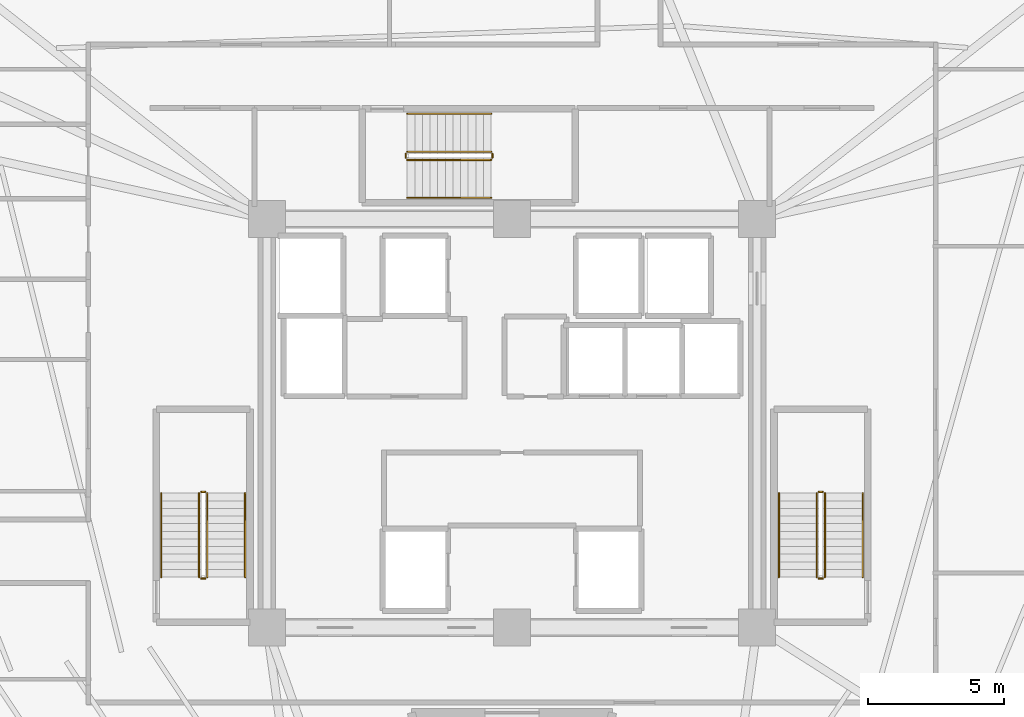
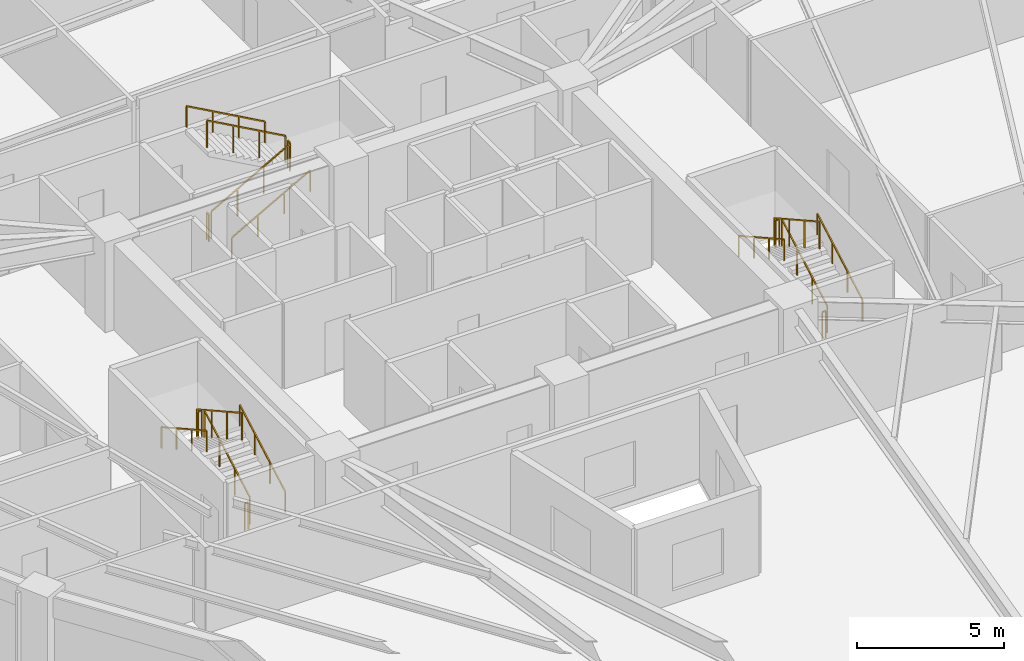
# One storey, part 8 of 8: 18 railings.
"""IFC4 building model written with IfcOpenShell, lengths in metres."""

import ifcopenshell
import ifcopenshell.guid

model = None  # the IFC model being written
_history = None  # IfcOwnerHistory: only IFC2X3 demands one
_inside = {}  # id of a spatial element -> (the spatial element, [elements in it])
_under = {}  # id of a project, library or spatial element -> (it, [spatial elements below it])
_declared = {}  # id of a project -> (the project, [libraries it declares])
_typed = {}  # id of a type object -> (the type object, [elements of that type])
_made_of = {}  # id of a material, layer set ... -> (it, [elements and type objects made of it])


def new_model(schema):
    """Start an empty IFC model of exactly this schema.

    Asked for "IFC4X3", IfcOpenShell would pick the latest addendum, in which some entities
    have other attributes; the version numbers below select the first issue.
    IFC2X3 requires an IfcOwnerHistory on every rooted entity: one is made here for all.
    """
    global model, _history
    if schema == "IFC4X3":
        model = ifcopenshell.file(schema_version=(4, 3, 0, 0))
    else:
        model = ifcopenshell.file(schema=schema)
    _inside.clear()
    _under.clear()
    _declared.clear()
    _typed.clear()
    _made_of.clear()
    _history = None
    if model.schema == "IFC2X3":
        org = make("IfcOrganization", Name="unknown")
        user = make(
            "IfcPersonAndOrganization",
            ThePerson=make("IfcPerson", FamilyName="unknown"),
            TheOrganization=org,
        )
        app = make(
            "IfcApplication",
            ApplicationDeveloper=org,
            Version="unknown",
            ApplicationFullName="unknown",
            ApplicationIdentifier="unknown",
        )
        _history = make(
            "IfcOwnerHistory",
            OwningUser=user,
            OwningApplication=app,
            ChangeAction="ADDED",
            CreationDate=0,
        )
    return model


def make(cls, **values):
    """One entity of the class cls with the attributes given. An attribute that is None is left unset."""
    return model.create_entity(
        cls, **{name: value for name, value in values.items() if value is not None}
    )


def rooted(cls, **values):
    """An entity with a GlobalId (a new one), such as an element, a storey or a relation."""
    return make(cls, GlobalId=ifcopenshell.guid.new(), OwnerHistory=_history, **values)


def si_unit(unit_type, name, prefix=None):
    """IfcSIUnit, for example si_unit("LENGTHUNIT", "METRE", prefix="MILLI")."""
    return make("IfcSIUnit", UnitType=unit_type, Prefix=prefix, Name=name)


def assignment(units):
    """IfcUnitAssignment: the units of a project."""
    return None if units is None else make("IfcUnitAssignment", Units=units)


def point(xyz):
    """IfcCartesianPoint."""
    return None if xyz is None else make("IfcCartesianPoint", Coordinates=xyz)


def direction(xyz):
    """IfcDirection."""
    return None if xyz is None else make("IfcDirection", DirectionRatios=xyz)


def frame(location, z_axis=None, x_axis=None):
    """IfcAxis2Placement3D, a coordinate frame: its origin and axes. An axis left out is left unset."""
    return make(
        "IfcAxis2Placement3D",
        Location=point(location),
        Axis=direction(z_axis),
        RefDirection=direction(x_axis),
    )


def frame_2d(location, x_axis=None):
    """IfcAxis2Placement2D, a coordinate frame in the plane: its origin and x axis."""
    return make(
        "IfcAxis2Placement2D", Location=point(location), RefDirection=direction(x_axis)
    )


def origin():
    """The frame at (0, 0, 0) with its axes left unset."""
    return frame((0.0, 0.0, 0.0))


def origin_2d():
    """The frame at (0, 0) in the plane with its x axis left unset."""
    return frame_2d((0.0, 0.0))


def place(relative_to, where):
    """IfcLocalPlacement: puts the frame where relative to a parent placement (None: the world)."""
    return make(
        "IfcLocalPlacement", PlacementRelTo=relative_to, RelativePlacement=where
    )


def context(
    kind, dimensions, precision=None, world=None, true_north=None, identifier=None
):
    """IfcGeometricRepresentationContext, for example the 3D "Model" context."""
    return make(
        "IfcGeometricRepresentationContext",
        ContextIdentifier=identifier,
        ContextType=kind,
        CoordinateSpaceDimension=dimensions,
        Precision=precision,
        WorldCoordinateSystem=world,
        TrueNorth=true_north,
    )


def subcontext(parent, identifier, kind, view, scale=None):
    """IfcGeometricRepresentationSubContext, for example "Body" below "Model"."""
    return make(
        "IfcGeometricRepresentationSubContext",
        ContextIdentifier=identifier,
        ContextType=kind,
        ParentContext=parent,
        TargetScale=scale,
        TargetView=view,
    )


def project(units=None, contexts=None):
    """IfcProject with its units and contexts."""
    return rooted(
        "IfcProject",
        Name="project",
        RepresentationContexts=contexts,
        UnitsInContext=assignment(units),
    )


def spatial(cls, under=None, at=None, **own):
    """A site, building, storey or space (cls), placed at a placement, below another one or the project."""
    s = rooted(cls, ObjectPlacement=at, **own)
    if under is not None:
        _under.setdefault(under.id(), (under, []))[1].append(s)
    return s


def profile(cls, at=None, kind="AREA", **sizes):
    """A parametric profile (cls). Its sizes go by their IFC names, for example OverallWidth=200.0."""
    return make(cls, ProfileType=kind, Position=at, **sizes)


def rectangle(**sizes):
    """IfcRectangleProfileDef."""
    return profile("IfcRectangleProfileDef", **sizes)


def extrude(swept, where, along, depth):
    """IfcExtrudedAreaSolid: the profile swept, set in the frame where, extruded along a direction by depth."""
    return make(
        "IfcExtrudedAreaSolid",
        SweptArea=swept,
        Position=where,
        ExtrudedDirection=direction(along),
        Depth=depth,
    )


def shape(context_of_items, identifier, shape_type, items):
    """IfcShapeRepresentation: the items that make up one representation, for example the "Body"."""
    return make(
        "IfcShapeRepresentation",
        ContextOfItems=context_of_items,
        RepresentationIdentifier=identifier,
        RepresentationType=shape_type,
        Items=items,
    )


def material(Name=None, Category=None):
    """IfcMaterial."""
    return make("IfcMaterial", Name=Name, Category=Category)


def made_of(thing, what):
    """Note that an element or type object is made of a material, layer set ...; save() writes the relation."""
    if what is not None:
        _made_of.setdefault(what.id(), (what, []))[1].append(thing)
    return thing


def type_object(cls, material=None, **own):
    """A type object (cls), such as IfcWallType, which elements share."""
    return made_of(rooted(cls, **own), material)


def element(
    cls,
    number,
    at=None,
    inside=None,
    cuts=None,
    type_object=None,
    material=None,
    context=None,
    identifier="Body",
    shape_type=None,
    held_by="IfcProductDefinitionShape",
    body=None,
    shapes=None,
    **own,
):
    """One element of the class cls, such as IfcWall. Its Tag is "e" and its number.

    at: its placement. inside: the storey or other place that contains it. cuts: it is an
    opening in that element (IfcRelVoidsElement). A single representation is given by context,
    identifier, shape_type and body (its items); several are given by shapes. held_by: the class
    of the entity that holds the representations. save() writes the other relations.
    """
    e = rooted(cls, Tag="e%d" % number, ObjectPlacement=at, **own)
    if body is not None:
        shapes = [shape(context, identifier, shape_type, body)]
    if shapes is not None:
        e.Representation = make(held_by, Representations=shapes)
    if inside is not None:
        _inside.setdefault(inside.id(), (inside, []))[1].append(e)
    if cuts is not None:
        rooted(
            "IfcRelVoidsElement", RelatingBuildingElement=cuts, RelatedOpeningElement=e
        )
    if type_object is not None:
        _typed.setdefault(type_object.id(), (type_object, []))[1].append(e)
    return made_of(e, material)


def aggregate(whole, parts):
    """IfcRelAggregates: a whole, such as a stair, and the parts it consists of."""
    return rooted("IfcRelAggregates", RelatingObject=whole, RelatedObjects=parts)


def save(model, path):
    """Write the relations noted so far, then the file.

    IfcRelAggregates (storeys below a building ...), IfcRelContainedInSpatialStructure (elements
    in a storey), IfcRelDefinesByType, IfcRelAssociatesMaterial and IfcRelDeclares: one each for
    every whole, place, type object, material and project.
    """
    for whole, parts in _under.values():
        aggregate(whole, parts)
    for where, things in _inside.values():
        rooted(
            "IfcRelContainedInSpatialStructure",
            RelatedElements=things,
            RelatingStructure=where,
        )
    for kind, things in _typed.values():
        rooted("IfcRelDefinesByType", RelatedObjects=things, RelatingType=kind)
    for what, things in _made_of.values():
        rooted("IfcRelAssociatesMaterial", RelatedObjects=things, RelatingMaterial=what)
    for by, libraries in _declared.values():
        rooted("IfcRelDeclares", RelatingContext=by, RelatedDefinitions=libraries)
    model.write(path)


model = new_model("IFC4")

# Units and contexts
model_context = context("Model", 3, precision=1e-05, world=origin(), true_north=direction((0.0, 1.0)))
body_context = subcontext(model_context, "Body", "Model", "MODEL_VIEW")
ifc_project = project(units=[si_unit("LENGTHUNIT", "METRE"), si_unit("AREAUNIT", "SQUARE_METRE"), si_unit("VOLUMEUNIT", "CUBIC_METRE"), si_unit("PLANEANGLEUNIT", "RADIAN"), si_unit("MASSUNIT", "GRAM", prefix="KILO")], contexts=[model_context])

# Site, building, storey
site_placement = place(None, origin())
site = spatial("IfcSite", under=ifc_project, at=site_placement, CompositionType="ELEMENT")
building_placement = place(site_placement, origin())
building = spatial("IfcBuilding", under=site, at=building_placement, Name="Liaohun Quay Tower", CompositionType="ELEMENT")
storey_placement = place(building_placement, frame((0.0, 0.0, 240.0)))
storey = spatial("IfcBuildingStorey", under=building, at=storey_placement, Name="L62", CompositionType="ELEMENT", Elevation=240.0)

# Railings
ifc_material_1 = material(Name="Painted tubular steel", Category="steel")
railing_type_1 = type_object("IfcRailingType", Name="RLG-GUARD-STR", PredefinedType="GUARDRAIL", material=ifc_material_1)
railing_1_placement = place(storey_placement, frame((48.81005859375, 48.35009765625, 0.15625)))
element("IfcRailing", 1, at=railing_1_placement, inside=storey, type_object=railing_type_1, Name="L62 ST-1 stair guard 1", PredefinedType="GUARDRAIL", context=body_context, shape_type="SweptSolid", body=[
    extrude(rectangle(XDim=0.048095703125, YDim=0.048095703125, at=origin_2d()), frame((0.0, 0.0, 1.1259765625), z_axis=(0.0, 0.873225103656, 0.487317061414), x_axis=(-1.0, 0.0, 0.0)), (0.0, 0.0, 1.0), 3.52685546875),
    extrude(rectangle(XDim=0.0419921875, YDim=0.0419921875, at=origin_2d()), origin(), (0.0, 0.0, 1.0), 1.101806640625),
    extrude(rectangle(XDim=0.0419921875, YDim=0.0419921875, at=origin_2d()), frame((0.0, 1.026611328125, 0.572998046875)), (0.0, 0.0, 1.0), 1.101806640625),
    extrude(rectangle(XDim=0.0419921875, YDim=0.0419921875, at=origin_2d()), frame((0.0, 2.05322265625, 1.145751953125)), (0.0, 0.0, 1.0), 1.101806640625),
    extrude(rectangle(XDim=0.0419921875, YDim=0.0419921875, at=origin_2d()), frame((0.0, 3.079833984375, 1.71875)), (0.0, 0.0, 1.0), 1.101806640625),
])
railing_2_placement = place(storey_placement, frame((48.72998046875, 51.47998046875, 1.875)))
element("IfcRailing", 2, at=railing_2_placement, inside=storey, type_object=railing_type_1, Name="L62 ST-1 stair guard 2", PredefinedType="GUARDRAIL", context=body_context, shape_type="SweptSolid", body=[
    extrude(rectangle(XDim=0.048095703125, YDim=0.048095703125, at=origin_2d()), frame((0.0, 0.0, 1.1259765625), z_axis=(-1.0, 0.0, 0.0), x_axis=(0.0, -1.0, 0.0)), (0.0, 0.0, 1.0), 0.139892578125),
    extrude(rectangle(XDim=0.0419921875, YDim=0.0419921875, at=origin_2d()), origin(), (0.0, 0.0, 1.0), 1.101806640625),
    extrude(rectangle(XDim=0.0419921875, YDim=0.0419921875, at=origin_2d()), frame((-0.139892578125, 0.0, 0.0)), (0.0, 0.0, 1.0), 1.101806640625),
])
railing_3_placement = place(storey_placement, frame((48.510009765625, 51.429931640625, 2.03125)))
element("IfcRailing", 3, at=railing_3_placement, inside=storey, type_object=railing_type_1, Name="L62 ST-1 stair guard 3", PredefinedType="GUARDRAIL", context=body_context, shape_type="SweptSolid", body=[
    extrude(rectangle(XDim=0.048095703125, YDim=0.048095703125, at=origin_2d()), frame((0.0, 0.0, 1.1259765625), z_axis=(0.0, -0.873225103656, 0.487317061414), x_axis=(1.0, 0.0, 0.0)), (0.0, 0.0, 1.0), 3.52685546875),
    extrude(rectangle(XDim=0.0419921875, YDim=0.0419921875, at=origin_2d()), origin(), (0.0, 0.0, 1.0), 1.101806640625),
    extrude(rectangle(XDim=0.0419921875, YDim=0.0419921875, at=origin_2d()), frame((0.0, -1.026611328125, 0.572998046875)), (0.0, 0.0, 1.0), 1.101806640625),
    extrude(rectangle(XDim=0.0419921875, YDim=0.0419921875, at=origin_2d()), frame((0.0, -2.05322265625, 1.145751953125)), (0.0, 0.0, 1.0), 1.101806640625),
    extrude(rectangle(XDim=0.0419921875, YDim=0.0419921875, at=origin_2d()), frame((0.0, -3.079833984375, 1.71875)), (0.0, 0.0, 1.0), 1.101806640625),
])
railing_4_placement = place(storey_placement, frame((48.72998046875, 48.300048828125, 0.0)))
element("IfcRailing", 4, at=railing_4_placement, inside=storey, type_object=railing_type_1, Name="L62 ST-1 stair guard 4", PredefinedType="GUARDRAIL", context=body_context, shape_type="SweptSolid", body=[
    extrude(rectangle(XDim=0.048095703125, YDim=0.048095703125, at=origin_2d()), frame((0.0, 0.0, 1.1259765625), z_axis=(-1.0, 0.0, 0.0), x_axis=(0.0, -1.0, 0.0)), (0.0, 0.0, 1.0), 0.139892578125),
    extrude(rectangle(XDim=0.0419921875, YDim=0.0419921875, at=origin_2d()), origin(), (0.0, 0.0, 1.0), 1.101806640625),
    extrude(rectangle(XDim=0.0419921875, YDim=0.0419921875, at=origin_2d()), frame((-0.139892578125, 0.0, 0.0)), (0.0, 0.0, 1.0), 1.101806640625),
])
railing_5_placement = place(storey_placement, frame((71.489990234375, 48.35009765625, 0.15625)))
element("IfcRailing", 5, at=railing_5_placement, inside=storey, type_object=railing_type_1, Name="L62 ST-2 stair guard 1", PredefinedType="GUARDRAIL", context=body_context, shape_type="SweptSolid", body=[
    extrude(rectangle(XDim=0.048095703125, YDim=0.048095703125, at=origin_2d()), frame((0.0, 0.0, 1.1259765625), z_axis=(0.0, 0.873225103656, 0.487317061414), x_axis=(-1.0, 0.0, 0.0)), (0.0, 0.0, 1.0), 3.52685546875),
    extrude(rectangle(XDim=0.0419921875, YDim=0.0419921875, at=origin_2d()), origin(), (0.0, 0.0, 1.0), 1.101806640625),
    extrude(rectangle(XDim=0.0419921875, YDim=0.0419921875, at=origin_2d()), frame((0.0, 1.026611328125, 0.572998046875)), (0.0, 0.0, 1.0), 1.101806640625),
    extrude(rectangle(XDim=0.0419921875, YDim=0.0419921875, at=origin_2d()), frame((0.0, 2.05322265625, 1.145751953125)), (0.0, 0.0, 1.0), 1.101806640625),
    extrude(rectangle(XDim=0.0419921875, YDim=0.0419921875, at=origin_2d()), frame((0.0, 3.079833984375, 1.71875)), (0.0, 0.0, 1.0), 1.101806640625),
])
railing_6_placement = place(storey_placement, frame((71.409912109375, 51.47998046875, 1.875)))
element("IfcRailing", 6, at=railing_6_placement, inside=storey, type_object=railing_type_1, Name="L62 ST-2 stair guard 2", PredefinedType="GUARDRAIL", context=body_context, shape_type="SweptSolid", body=[
    extrude(rectangle(XDim=0.048095703125, YDim=0.048095703125, at=origin_2d()), frame((0.0, 0.0, 1.1259765625), z_axis=(-1.0, 0.0, 0.0), x_axis=(0.0, -1.0, 0.0)), (0.0, 0.0, 1.0), 0.139892578125),
    extrude(rectangle(XDim=0.0419921875, YDim=0.0419921875, at=origin_2d()), origin(), (0.0, 0.0, 1.0), 1.101806640625),
    extrude(rectangle(XDim=0.0419921875, YDim=0.0419921875, at=origin_2d()), frame((-0.139892578125, 0.0, 0.0)), (0.0, 0.0, 1.0), 1.101806640625),
])
railing_7_placement = place(storey_placement, frame((71.18994140625, 51.429931640625, 2.03125)))
element("IfcRailing", 7, at=railing_7_placement, inside=storey, type_object=railing_type_1, Name="L62 ST-2 stair guard 3", PredefinedType="GUARDRAIL", context=body_context, shape_type="SweptSolid", body=[
    extrude(rectangle(XDim=0.048095703125, YDim=0.048095703125, at=origin_2d()), frame((0.0, 0.0, 1.1259765625), z_axis=(0.0, -0.873225103656, 0.487317061414), x_axis=(1.0, 0.0, 0.0)), (0.0, 0.0, 1.0), 3.52685546875),
    extrude(rectangle(XDim=0.0419921875, YDim=0.0419921875, at=origin_2d()), origin(), (0.0, 0.0, 1.0), 1.101806640625),
    extrude(rectangle(XDim=0.0419921875, YDim=0.0419921875, at=origin_2d()), frame((0.0, -1.026611328125, 0.572998046875)), (0.0, 0.0, 1.0), 1.101806640625),
    extrude(rectangle(XDim=0.0419921875, YDim=0.0419921875, at=origin_2d()), frame((0.0, -2.05322265625, 1.145751953125)), (0.0, 0.0, 1.0), 1.101806640625),
    extrude(rectangle(XDim=0.0419921875, YDim=0.0419921875, at=origin_2d()), frame((0.0, -3.079833984375, 1.71875)), (0.0, 0.0, 1.0), 1.101806640625),
])
railing_8_placement = place(storey_placement, frame((71.409912109375, 48.300048828125, 0.0)))
element("IfcRailing", 8, at=railing_8_placement, inside=storey, type_object=railing_type_1, Name="L62 ST-2 stair guard 4", PredefinedType="GUARDRAIL", context=body_context, shape_type="SweptSolid", body=[
    extrude(rectangle(XDim=0.048095703125, YDim=0.048095703125, at=origin_2d()), frame((0.0, 0.0, 1.1259765625), z_axis=(-1.0, 0.0, 0.0), x_axis=(0.0, -1.0, 0.0)), (0.0, 0.0, 1.0), 0.139892578125),
    extrude(rectangle(XDim=0.0419921875, YDim=0.0419921875, at=origin_2d()), origin(), (0.0, 0.0, 1.0), 1.101806640625),
    extrude(rectangle(XDim=0.0419921875, YDim=0.0419921875, at=origin_2d()), frame((-0.139892578125, 0.0, 0.0)), (0.0, 0.0, 1.0), 1.101806640625),
])
railing_9_placement = place(storey_placement, frame((56.14990234375, 63.669921875, 0.15625)))
element("IfcRailing", 9, at=railing_9_placement, inside=storey, type_object=railing_type_1, Name="L62 ST-3 stair guard 1", PredefinedType="GUARDRAIL", context=body_context, shape_type="SweptSolid", body=[
    extrude(rectangle(XDim=0.048095703125, YDim=0.048095703125, at=origin_2d()), frame((0.0, 0.0, 1.1259765625), z_axis=(0.873241540666, 0.0, 0.487287606713), x_axis=(0.0, 1.0, 0.0)), (0.0, 0.0, 1.0), 3.527099609375),
    extrude(rectangle(XDim=0.0419921875, YDim=0.0419921875, at=origin_2d()), origin(), (0.0, 0.0, 1.0), 1.101806640625),
    extrude(rectangle(XDim=0.0419921875, YDim=0.0419921875, at=origin_2d()), frame((1.026611328125, 0.0, 0.572998046875)), (0.0, 0.0, 1.0), 1.101806640625),
    extrude(rectangle(XDim=0.0419921875, YDim=0.0419921875, at=origin_2d()), frame((2.053466796875, 0.0, 1.145751953125)), (0.0, 0.0, 1.0), 1.101806640625),
    extrude(rectangle(XDim=0.0419921875, YDim=0.0419921875, at=origin_2d()), frame((3.080078125, 0.0, 1.71875)), (0.0, 0.0, 1.0), 1.101806640625),
])
railing_10_placement = place(storey_placement, frame((59.280029296875, 63.75, 1.875)))
element("IfcRailing", 10, at=railing_10_placement, inside=storey, type_object=railing_type_1, Name="L62 ST-3 stair guard 2", PredefinedType="GUARDRAIL", context=body_context, shape_type="SweptSolid", body=[
    extrude(rectangle(XDim=0.048095703125, YDim=0.048095703125, at=origin_2d()), frame((0.0, 0.0, 1.1259765625), z_axis=(0.0, 1.0, 0.0), x_axis=(-1.0, 0.0, 0.0)), (0.0, 0.0, 1.0), 0.139892578125),
    extrude(rectangle(XDim=0.0419921875, YDim=0.0419921875, at=origin_2d()), origin(), (0.0, 0.0, 1.0), 1.101806640625),
    extrude(rectangle(XDim=0.0419921875, YDim=0.0419921875, at=origin_2d()), frame((0.0, 0.139892578125, 0.0)), (0.0, 0.0, 1.0), 1.101806640625),
])
railing_11_placement = place(storey_placement, frame((59.22998046875, 63.969970703125, 2.03125)))
element("IfcRailing", 11, at=railing_11_placement, inside=storey, type_object=railing_type_1, Name="L62 ST-3 stair guard 3", PredefinedType="GUARDRAIL", context=body_context, shape_type="SweptSolid", body=[
    extrude(rectangle(XDim=0.048095703125, YDim=0.048095703125, at=origin_2d()), frame((0.0, 0.0, 1.1259765625), z_axis=(-0.873241540666, 0.0, 0.487287606713), x_axis=(0.0, -1.0, 0.0)), (0.0, 0.0, 1.0), 3.527099609375),
    extrude(rectangle(XDim=0.0419921875, YDim=0.0419921875, at=origin_2d()), origin(), (0.0, 0.0, 1.0), 1.101806640625),
    extrude(rectangle(XDim=0.0419921875, YDim=0.0419921875, at=origin_2d()), frame((-1.026611328125, 0.0, 0.572998046875)), (0.0, 0.0, 1.0), 1.101806640625),
    extrude(rectangle(XDim=0.0419921875, YDim=0.0419921875, at=origin_2d()), frame((-2.053466796875, 0.0, 1.145751953125)), (0.0, 0.0, 1.0), 1.101806640625),
    extrude(rectangle(XDim=0.0419921875, YDim=0.0419921875, at=origin_2d()), frame((-3.080078125, 0.0, 1.71875)), (0.0, 0.0, 1.0), 1.101806640625),
])
railing_12_placement = place(storey_placement, frame((56.10009765625, 63.75, 0.0)))
element("IfcRailing", 12, at=railing_12_placement, inside=storey, type_object=railing_type_1, Name="L62 ST-3 stair guard 4", PredefinedType="GUARDRAIL", context=body_context, shape_type="SweptSolid", body=[
    extrude(rectangle(XDim=0.048095703125, YDim=0.048095703125, at=origin_2d()), frame((0.0, 0.0, 1.1259765625), z_axis=(0.0, 1.0, 0.0), x_axis=(-1.0, 0.0, 0.0)), (0.0, 0.0, 1.0), 0.139892578125),
    extrude(rectangle(XDim=0.0419921875, YDim=0.0419921875, at=origin_2d()), origin(), (0.0, 0.0, 1.0), 1.101806640625),
    extrude(rectangle(XDim=0.0419921875, YDim=0.0419921875, at=origin_2d()), frame((0.0, 0.139892578125, 0.0)), (0.0, 0.0, 1.0), 1.101806640625),
])
ifc_material_2 = material(Name="Brushed stainless steel", Category="steel")
railing_type_2 = type_object("IfcRailingType", Name="RLG-HND-STR", PredefinedType="HANDRAIL", material=ifc_material_2)
railing_13_placement = place(storey_placement, frame((50.199951171875, 48.35009765625, 0.15625)))
element("IfcRailing", 13, at=railing_13_placement, inside=storey, type_object=railing_type_2, Name="L62 ST-1 stair handrail 1", PredefinedType="HANDRAIL", context=body_context, shape_type="SweptSolid", body=[
    extrude(rectangle(XDim=0.048095703125, YDim=0.048095703125, at=origin_2d()), frame((0.0, 0.0, 0.8759765625), z_axis=(0.0, 0.873225103656, 0.487317061414), x_axis=(-1.0, 0.0, 0.0)), (0.0, 0.0, 1.0), 3.52685546875),
    extrude(rectangle(XDim=0.0419921875, YDim=0.0419921875, at=origin_2d()), origin(), (0.0, 0.0, 1.0), 0.851806640625),
    extrude(rectangle(XDim=0.0419921875, YDim=0.0419921875, at=origin_2d()), frame((0.0, 1.026611328125, 0.572998046875)), (0.0, 0.0, 1.0), 0.851806640625),
    extrude(rectangle(XDim=0.0419921875, YDim=0.0419921875, at=origin_2d()), frame((0.0, 2.05322265625, 1.145751953125)), (0.0, 0.0, 1.0), 0.851806640625),
    extrude(rectangle(XDim=0.0419921875, YDim=0.0419921875, at=origin_2d()), frame((0.0, 3.079833984375, 1.71875)), (0.0, 0.0, 1.0), 0.851806640625),
])
railing_14_placement = place(storey_placement, frame((47.1201171875, 51.429931640625, 2.03125)))
element("IfcRailing", 14, at=railing_14_placement, inside=storey, type_object=railing_type_2, Name="L62 ST-1 stair handrail 2", PredefinedType="HANDRAIL", context=body_context, shape_type="SweptSolid", body=[
    extrude(rectangle(XDim=0.048095703125, YDim=0.048095703125, at=origin_2d()), frame((0.0, 0.0, 0.8759765625), z_axis=(0.0, -0.873225103656, 0.487317061414), x_axis=(1.0, 0.0, 0.0)), (0.0, 0.0, 1.0), 3.52685546875),
    extrude(rectangle(XDim=0.0419921875, YDim=0.0419921875, at=origin_2d()), origin(), (0.0, 0.0, 1.0), 0.851806640625),
    extrude(rectangle(XDim=0.0419921875, YDim=0.0419921875, at=origin_2d()), frame((0.0, -1.026611328125, 0.572998046875)), (0.0, 0.0, 1.0), 0.851806640625),
    extrude(rectangle(XDim=0.0419921875, YDim=0.0419921875, at=origin_2d()), frame((0.0, -2.05322265625, 1.145751953125)), (0.0, 0.0, 1.0), 0.851806640625),
    extrude(rectangle(XDim=0.0419921875, YDim=0.0419921875, at=origin_2d()), frame((0.0, -3.079833984375, 1.71875)), (0.0, 0.0, 1.0), 0.851806640625),
])
railing_15_placement = place(storey_placement, frame((72.8798828125, 48.35009765625, 0.15625)))
element("IfcRailing", 15, at=railing_15_placement, inside=storey, type_object=railing_type_2, Name="L62 ST-2 stair handrail 1", PredefinedType="HANDRAIL", context=body_context, shape_type="SweptSolid", body=[
    extrude(rectangle(XDim=0.048095703125, YDim=0.048095703125, at=origin_2d()), frame((0.0, 0.0, 0.8759765625), z_axis=(0.0, 0.873225103656, 0.487317061414), x_axis=(-1.0, 0.0, 0.0)), (0.0, 0.0, 1.0), 3.52685546875),
    extrude(rectangle(XDim=0.0419921875, YDim=0.0419921875, at=origin_2d()), origin(), (0.0, 0.0, 1.0), 0.851806640625),
    extrude(rectangle(XDim=0.0419921875, YDim=0.0419921875, at=origin_2d()), frame((0.0, 1.026611328125, 0.572998046875)), (0.0, 0.0, 1.0), 0.851806640625),
    extrude(rectangle(XDim=0.0419921875, YDim=0.0419921875, at=origin_2d()), frame((0.0, 2.05322265625, 1.145751953125)), (0.0, 0.0, 1.0), 0.851806640625),
    extrude(rectangle(XDim=0.0419921875, YDim=0.0419921875, at=origin_2d()), frame((0.0, 3.079833984375, 1.71875)), (0.0, 0.0, 1.0), 0.851806640625),
])
railing_16_placement = place(storey_placement, frame((69.800048828125, 51.429931640625, 2.03125)))
element("IfcRailing", 16, at=railing_16_placement, inside=storey, type_object=railing_type_2, Name="L62 ST-2 stair handrail 2", PredefinedType="HANDRAIL", context=body_context, shape_type="SweptSolid", body=[
    extrude(rectangle(XDim=0.048095703125, YDim=0.048095703125, at=origin_2d()), frame((0.0, 0.0, 0.8759765625), z_axis=(0.0, -0.873225103656, 0.487317061414), x_axis=(1.0, 0.0, 0.0)), (0.0, 0.0, 1.0), 3.52685546875),
    extrude(rectangle(XDim=0.0419921875, YDim=0.0419921875, at=origin_2d()), origin(), (0.0, 0.0, 1.0), 0.851806640625),
    extrude(rectangle(XDim=0.0419921875, YDim=0.0419921875, at=origin_2d()), frame((0.0, -1.026611328125, 0.572998046875)), (0.0, 0.0, 1.0), 0.851806640625),
    extrude(rectangle(XDim=0.0419921875, YDim=0.0419921875, at=origin_2d()), frame((0.0, -2.05322265625, 1.145751953125)), (0.0, 0.0, 1.0), 0.851806640625),
    extrude(rectangle(XDim=0.0419921875, YDim=0.0419921875, at=origin_2d()), frame((0.0, -3.079833984375, 1.71875)), (0.0, 0.0, 1.0), 0.851806640625),
])
railing_17_placement = place(storey_placement, frame((56.14990234375, 62.280029296875, 0.15625)))
element("IfcRailing", 17, at=railing_17_placement, inside=storey, type_object=railing_type_2, Name="L62 ST-3 stair handrail 1", PredefinedType="HANDRAIL", context=body_context, shape_type="SweptSolid", body=[
    extrude(rectangle(XDim=0.048095703125, YDim=0.048095703125, at=origin_2d()), frame((0.0, 0.0, 0.8759765625), z_axis=(0.873241540666, 0.0, 0.487287606713), x_axis=(0.0, 1.0, 0.0)), (0.0, 0.0, 1.0), 3.527099609375),
    extrude(rectangle(XDim=0.0419921875, YDim=0.0419921875, at=origin_2d()), origin(), (0.0, 0.0, 1.0), 0.851806640625),
    extrude(rectangle(XDim=0.0419921875, YDim=0.0419921875, at=origin_2d()), frame((1.026611328125, 0.0, 0.572998046875)), (0.0, 0.0, 1.0), 0.851806640625),
    extrude(rectangle(XDim=0.0419921875, YDim=0.0419921875, at=origin_2d()), frame((2.053466796875, 0.0, 1.145751953125)), (0.0, 0.0, 1.0), 0.851806640625),
    extrude(rectangle(XDim=0.0419921875, YDim=0.0419921875, at=origin_2d()), frame((3.080078125, 0.0, 1.71875)), (0.0, 0.0, 1.0), 0.851806640625),
])
railing_18_placement = place(storey_placement, frame((59.22998046875, 65.360107421875, 2.03125)))
element("IfcRailing", 18, at=railing_18_placement, inside=storey, type_object=railing_type_2, Name="L62 ST-3 stair handrail 2", PredefinedType="HANDRAIL", context=body_context, shape_type="SweptSolid", body=[
    extrude(rectangle(XDim=0.048095703125, YDim=0.048095703125, at=origin_2d()), frame((0.0, 0.0, 0.8759765625), z_axis=(-0.873241540666, 0.0, 0.487287606713), x_axis=(0.0, -1.0, 0.0)), (0.0, 0.0, 1.0), 3.527099609375),
    extrude(rectangle(XDim=0.0419921875, YDim=0.0419921875, at=origin_2d()), origin(), (0.0, 0.0, 1.0), 0.851806640625),
    extrude(rectangle(XDim=0.0419921875, YDim=0.0419921875, at=origin_2d()), frame((-1.026611328125, 0.0, 0.572998046875)), (0.0, 0.0, 1.0), 0.851806640625),
    extrude(rectangle(XDim=0.0419921875, YDim=0.0419921875, at=origin_2d()), frame((-2.053466796875, 0.0, 1.145751953125)), (0.0, 0.0, 1.0), 0.851806640625),
    extrude(rectangle(XDim=0.0419921875, YDim=0.0419921875, at=origin_2d()), frame((-3.080078125, 0.0, 1.71875)), (0.0, 0.0, 1.0), 0.851806640625),
])

save(model, "model.ifc")
